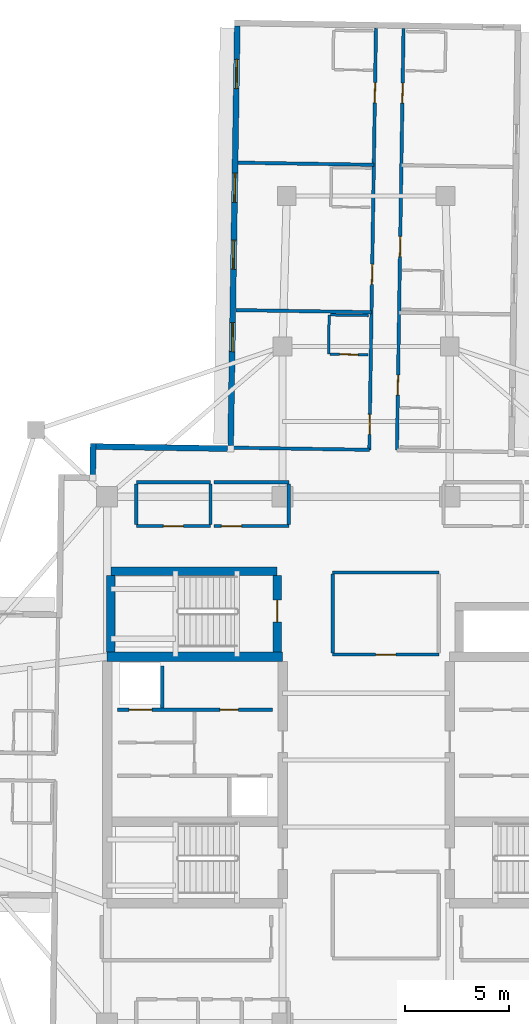
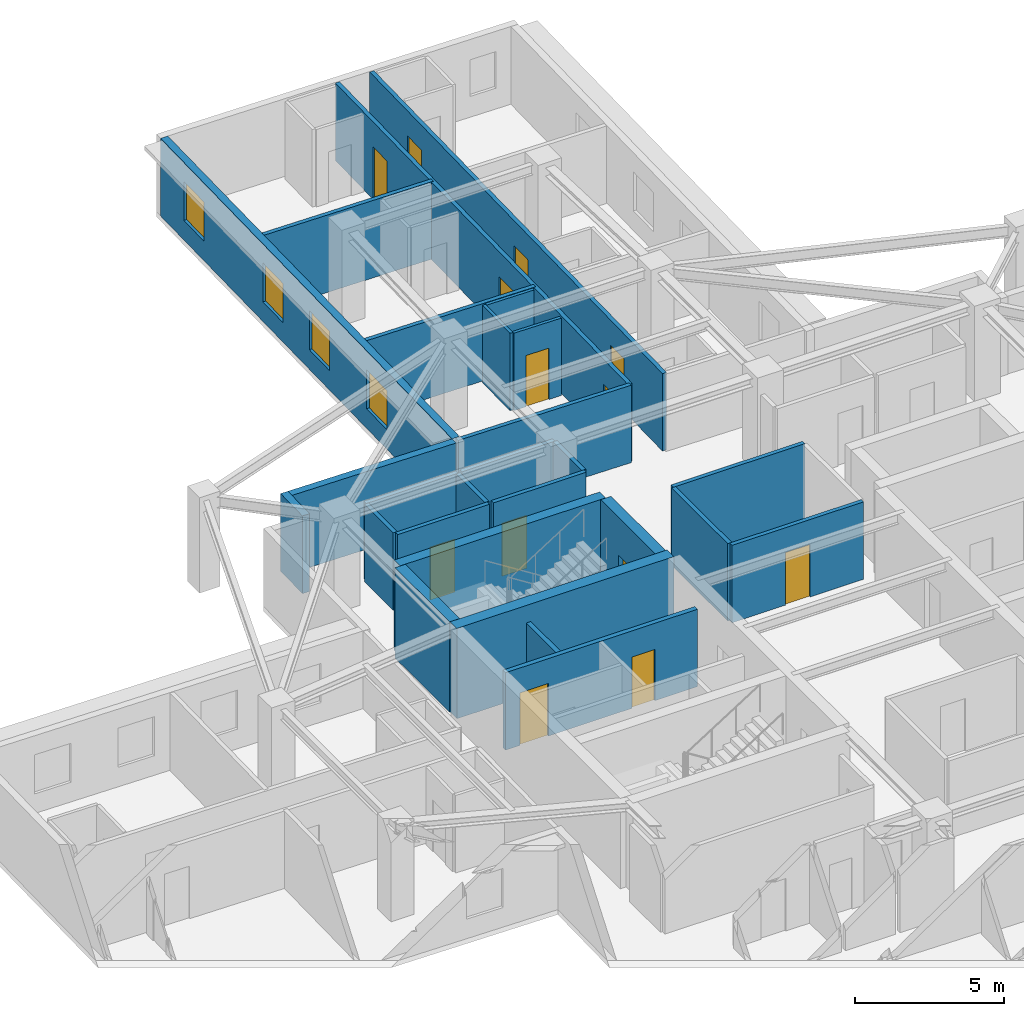
# One storey, part 7 of 13: 27 walls, 13 doors, 4 windows, 17 openings.
"""IFC4 building model written with IfcOpenShell, lengths in metres."""

from ifc_helpers import new_model, si_unit, direction, frame, frame_2d, origin, place, context, subcontext, project, spatial, rectangle, extrude, material, layer, layer_set, type_object, element, fill, save


model = new_model("IFC4")

# Units and contexts
model_context = context("Model", 3, precision=1e-05, world=origin(), true_north=direction((0.0, 1.0)))
body_context = subcontext(model_context, "Body", "Model", "MODEL_VIEW")
ifc_project = project(units=[si_unit("LENGTHUNIT", "METRE"), si_unit("AREAUNIT", "SQUARE_METRE"), si_unit("VOLUMEUNIT", "CUBIC_METRE"), si_unit("PLANEANGLEUNIT", "RADIAN"), si_unit("MASSUNIT", "GRAM", prefix="KILO")], contexts=[model_context])

# Site, building, storey
site_placement = place(None, origin())
site = spatial("IfcSite", under=ifc_project, at=site_placement, CompositionType="ELEMENT")
building_placement = place(site_placement, origin())
building = spatial("IfcBuilding", under=site, at=building_placement, Name="Qingluan Cross Belvedere", CompositionType="ELEMENT")
storey_placement = place(building_placement, frame((0.0, 0.0, 228.60009765625)))
storey = spatial("IfcBuildingStorey", under=building, at=storey_placement, Name="L57", CompositionType="ELEMENT", Elevation=228.60009765625)

# Walls
ifc_material_1 = material(Name="Concrete C50", Category="concrete")
ifc_layer_1 = layer(ifc_material_1, 0.449951171875, Name="CoreShearWall_450")
ifc_layer_set_1 = layer_set([ifc_layer_1], Name="Concrete C50")
wall_type_1 = type_object("IfcWallType", Name="CoreShearWall_450", PredefinedType="SHEAR", material=ifc_layer_set_1)
wall_1_placement = place(storey_placement, frame((-12.39990234375, 4.949951171875, 0.0), z_axis=(0.0, 0.0, 1.0), x_axis=(1.0, 0.0, 0.0)))
element("IfcWall", 1, at=wall_1_placement, inside=storey, type_object=wall_type_1, Name="Split core W shear wall L57-N", PredefinedType="SHEAR", context=body_context, shape_type="SweptSolid", body=[
    extrude(rectangle(XDim=8.39990234375, YDim=0.449951171875, at=frame_2d((4.199951171875, 0.0))), origin(), (0.0, 0.0, 1.0), 3.699951171875),
])
wall_2_placement = place(storey_placement, frame((-12.219970703125, 9.0400390625, 0.0), z_axis=(0.0, 0.0, 1.0), x_axis=(1.0, 0.0, 0.0)))
element("IfcWall", 2, at=wall_2_placement, inside=storey, type_object=wall_type_1, Name="Stair ST3 structural wall N L57", PredefinedType="SHEAR", context=body_context, shape_type="SweptSolid", body=[
    extrude(rectangle(XDim=7.9599609375, YDim=0.39990234375, at=frame_2d((3.97998046875, 0.0))), origin(), (0.0, 0.0, 1.0), 3.699951171875),
])
wall_3_placement = place(storey_placement, frame((-12.219970703125, 5.179931640625, 0.0), z_axis=(0.0, 0.0, 1.0), x_axis=(0.0, 1.0, 0.0)))
element("IfcWall", 3, at=wall_3_placement, inside=storey, type_object=wall_type_1, Name="Stair ST3 structural wall W L57", PredefinedType="SHEAR", context=body_context, shape_type="SweptSolid", body=[
    extrude(rectangle(XDim=3.655029296875, YDim=0.39990234375, at=frame_2d((1.82763671875, 0.0))), origin(), (0.0, 0.0, 1.0), 3.699951171875),
])

# Wall, opening, door
wall_4_placement = place(storey_placement, frame((-4.260009765625, 5.179931640625, 0.0), z_axis=(0.0, 0.0, 1.0), x_axis=(0.0, 1.0, 0.0)))
wall_4 = element("IfcWall", 4, at=wall_4_placement, inside=storey, type_object=wall_type_1, Name="Stair ST3 structural wall E L57", PredefinedType="SHEAR", context=body_context, shape_type="SweptSolid", body=[
    extrude(rectangle(XDim=3.655029296875, YDim=0.39990234375, at=frame_2d((1.82763671875, 0.0))), origin(), (0.0, 0.0, 1.0), 3.699951171875),
])
opening_1_placement = place(wall_4_placement, frame((1.419921875, 0.0, 0.0)))
opening_1 = element("IfcOpeningElement", 5, at=opening_1_placement, cuts=wall_4, Name="Opening FD-B11", PredefinedType="OPENING", context=body_context, shape_type="SweptSolid", body=[
    extrude(rectangle(XDim=1.050048828125, YDim=2.14990234375, at=frame_2d((0.52490234375, 1.074951171875))), frame((0.0, 0.2099609375, 0.0), z_axis=(0.0, -1.0, 0.0), x_axis=(1.0, 0.0, 0.0)), (0.0, 0.0, 1.0), 0.419921875),
])
ifc_material_2 = material(Name="Steel Class B smoke-seal fire door", Category="steel")
door_type_1 = type_object("IfcDoorType", Name="StairLobbyFireDoor_FDB", OperationType="NOTDEFINED", PredefinedType="DOOR", material=ifc_material_2)
door_1_placement = place(opening_1_placement, origin())
door_1 = element("IfcDoor", 6, at=door_1_placement, inside=storey, type_object=door_type_1, Name="Smoke-proof stair ST3 fire door L57", OperationType="SINGLE_SWING_LEFT", OverallHeight=2.14990234375, OverallWidth=1.050048828125, PredefinedType="DOOR", context=body_context, shape_type="SweptSolid", body=[
    extrude(rectangle(XDim=1.050048828125, YDim=2.14990234375, at=frame_2d((0.52490234375, 1.074951171875))), frame((0.0, 0.02490234375, 0.0), z_axis=(0.0, -1.0, 0.0), x_axis=(1.0, 0.0, 0.0)), (0.0, 0.0, 1.0), 0.050048828125),
])
fill(opening_1, door_1)

ifc_material_3 = material(Name="Gypsum plasterboard on steel stud acoustic partition", Category="steel")
ifc_layer_2 = layer(ifc_material_3, 0.159912109375, Name="CorridorPartition_160")
ifc_layer_set_2 = layer_set([ifc_layer_2], Name="Gypsum plasterboard on steel stud acoustic partition")
wall_type_2 = type_object("IfcWallType", Name="CorridorPartition_160", PredefinedType="PARTITIONING", material=ifc_layer_set_2)
wall_5_placement = place(storey_placement, frame((-11.0, 11.199951171875, 0.0), z_axis=(0.0, 0.0, 1.0), x_axis=(1.0, 0.0, 0.0)))
wall_5 = element("IfcWall", 7, at=wall_5_placement, inside=storey, type_object=wall_type_2, Name="Partition L57:q_nw1:S", PredefinedType="PARTITIONING", context=body_context, shape_type="SweptSolid", body=[
    extrude(rectangle(XDim=3.550048828125, YDim=0.159912109375, at=frame_2d((1.77490234375, 0.0))), origin(), (0.0, 0.0, 1.0), 3.169921875),
])
opening_2_placement = place(wall_5_placement, frame((1.294921875, 0.0, 0.0)))
opening_2 = element("IfcOpeningElement", 8, at=opening_2_placement, cuts=wall_5, Name="Opening GD-10", PredefinedType="OPENING", context=body_context, shape_type="SweptSolid", body=[
    extrude(rectangle(XDim=0.9599609375, YDim=2.14990234375, at=frame_2d((0.47998046875, 1.074951171875))), frame((0.0, 0.08984375, 0.0), z_axis=(0.0, -1.0, 0.0), x_axis=(1.0, 0.0, 0.0)), (0.0, 0.0, 1.0), 0.179931640625),
])
ifc_material_4 = material(Name="Timber oak fire-rated acoustic guestroom door", Category="wood")
door_type_2 = type_object("IfcDoorType", Name="GuestEntryDoor_FD60", OperationType="NOTDEFINED", PredefinedType="DOOR", material=ifc_material_4)
door_2_placement = place(opening_2_placement, origin())
door_2 = element("IfcDoor", 9, at=door_2_placement, inside=storey, type_object=door_type_2, Name="Northwest sky parlor L57 door", OperationType="SINGLE_SWING_RIGHT", OverallHeight=2.14990234375, OverallWidth=0.9599609375, PredefinedType="DOOR", context=body_context, shape_type="SweptSolid", body=[
    extrude(rectangle(XDim=0.9599609375, YDim=2.14990234375, at=frame_2d((0.47998046875, 1.074951171875))), frame((0.0, 0.02490234375, 0.0), z_axis=(0.0, -1.0, 0.0), x_axis=(1.0, 0.0, 0.0)), (0.0, 0.0, 1.0), 0.050048828125),
])
fill(opening_2, door_2)

# Walls
wall_6_placement = place(storey_placement, frame((-11.0, 13.300048828125, 0.0), z_axis=(0.0, 0.0, 1.0), x_axis=(1.0, 0.0, 0.0)))
element("IfcWall", 10, at=wall_6_placement, inside=storey, type_object=wall_type_2, Name="Partition L57:q_nw1:N", PredefinedType="PARTITIONING", context=body_context, shape_type="SweptSolid", body=[
    extrude(rectangle(XDim=3.550048828125, YDim=0.159912109375, at=frame_2d((1.77490234375, 0.0))), origin(), (0.0, 0.0, 1.0), 3.169921875),
])
for number, where, z_axis, x_axis, name in (
    (11, (-11.0, 11.284912109375, 0.0), (0.0, 0.0, 1.0), (0.0, 1.0, 0.0), "Partition L57:q_nw1:W"),
    (12, (-7.449951171875, 11.284912109375, 0.0), (0.0, 0.0, 1.0), (0.0, 1.0, 0.0), "Partition L57:q_nw1:E"),
):
    element("IfcWall", number, at=place(storey_placement, frame(where, z_axis=z_axis, x_axis=x_axis)), inside=storey, type_object=wall_type_2, Name=name, PredefinedType="PARTITIONING", context=body_context, shape_type="SweptSolid", body=[
        extrude(rectangle(XDim=1.93017578125, YDim=0.159912109375, at=frame_2d((0.965087890625, 0.0))), origin(), (0.0, 0.0, 1.0), 3.169921875),
    ])

# Wall, opening, door
wall_7_placement = place(storey_placement, frame((-7.2900390625, 11.199951171875, 0.0), z_axis=(0.0, 0.0, 1.0), x_axis=(1.0, 0.0, 0.0)))
wall_7 = element("IfcWall", 13, at=wall_7_placement, inside=storey, type_object=wall_type_2, Name="Partition L57:q_nw2:S", PredefinedType="PARTITIONING", context=body_context, shape_type="SweptSolid", body=[
    extrude(rectangle(XDim=3.590087890625, YDim=0.159912109375, at=frame_2d((1.794921875, 0.0))), origin(), (0.0, 0.0, 1.0), 3.169921875),
])
opening_3_placement = place(wall_7_placement, frame((0.364990234375, 0.0, 0.0)))
opening_3 = element("IfcOpeningElement", 14, at=opening_3_placement, cuts=wall_7, Name="Opening GD-10", PredefinedType="OPENING", context=body_context, shape_type="SweptSolid", body=[
    extrude(rectangle(XDim=0.9599609375, YDim=2.14990234375, at=frame_2d((0.47998046875, 1.074951171875))), frame((0.0, 0.08984375, 0.0), z_axis=(0.0, -1.0, 0.0), x_axis=(1.0, 0.0, 0.0)), (0.0, 0.0, 1.0), 0.179931640625),
])
door_3_placement = place(opening_3_placement, origin())
door_3 = element("IfcDoor", 15, at=door_3_placement, inside=storey, type_object=door_type_2, Name="Northwest study salon L57 door", OperationType="SINGLE_SWING_LEFT", OverallHeight=2.14990234375, OverallWidth=0.9599609375, PredefinedType="DOOR", context=body_context, shape_type="SweptSolid", body=[
    extrude(rectangle(XDim=0.9599609375, YDim=2.14990234375, at=frame_2d((0.47998046875, 1.074951171875))), frame((0.0, 0.02490234375, 0.0), z_axis=(0.0, -1.0, 0.0), x_axis=(1.0, 0.0, 0.0)), (0.0, 0.0, 1.0), 0.050048828125),
])
fill(opening_3, door_3)

# Walls
wall_8_placement = place(storey_placement, frame((-7.2900390625, 13.300048828125, 0.0), z_axis=(0.0, 0.0, 1.0), x_axis=(1.0, 0.0, 0.0)))
element("IfcWall", 16, at=wall_8_placement, inside=storey, type_object=wall_type_2, Name="Partition L57:q_nw2:N", PredefinedType="PARTITIONING", context=body_context, shape_type="SweptSolid", body=[
    extrude(rectangle(XDim=3.590087890625, YDim=0.159912109375, at=frame_2d((1.794921875, 0.0))), origin(), (0.0, 0.0, 1.0), 3.169921875),
])
wall_9_placement = place(storey_placement, frame((-3.699951171875, 11.284912109375, 0.0), z_axis=(0.0, 0.0, 1.0), x_axis=(0.0, 1.0, 0.0)))
element("IfcWall", 17, at=wall_9_placement, inside=storey, type_object=wall_type_2, Name="Partition L57:q_nw2:E", PredefinedType="PARTITIONING", context=body_context, shape_type="SweptSolid", body=[
    extrude(rectangle(XDim=1.93017578125, YDim=0.159912109375, at=frame_2d((0.965087890625, 0.0))), origin(), (0.0, 0.0, 1.0), 3.169921875),
])

# Wall, opening, door
wall_10_placement = place(storey_placement, frame((-1.60009765625, 5.050048828125, 0.0), z_axis=(0.0, 0.0, 1.0), x_axis=(1.0, 0.0, 0.0)))
wall_10 = element("IfcWall", 18, at=wall_10_placement, inside=storey, type_object=wall_type_2, Name="Partition L57:sky_tea_alcove:S", PredefinedType="PARTITIONING", context=body_context, shape_type="SweptSolid", body=[
    extrude(rectangle(XDim=5.080078125, YDim=0.159912109375, at=frame_2d((2.5400390625, 0.0))), origin(), (0.0, 0.0, 1.0), 3.169921875),
])
opening_4_placement = place(wall_10_placement, frame((2.06005859375, 0.0, 0.0)))
opening_4 = element("IfcOpeningElement", 19, at=opening_4_placement, cuts=wall_10, Name="Opening GD-10", PredefinedType="OPENING", context=body_context, shape_type="SweptSolid", body=[
    extrude(rectangle(XDim=0.9599609375, YDim=2.14990234375, at=frame_2d((0.47998046875, 1.074951171875))), frame((0.0, 0.08984375, 0.0), z_axis=(0.0, -1.0, 0.0), x_axis=(1.0, 0.0, 0.0)), (0.0, 0.0, 1.0), 0.179931640625),
])
door_4_placement = place(opening_4_placement, origin())
door_4 = element("IfcDoor", 20, at=door_4_placement, inside=storey, type_object=door_type_2, Name="Sky horizon tea salon L57 door", OperationType="SINGLE_SWING_LEFT", OverallHeight=2.14990234375, OverallWidth=0.9599609375, PredefinedType="DOOR", context=body_context, shape_type="SweptSolid", body=[
    extrude(rectangle(XDim=0.9599609375, YDim=2.14990234375, at=frame_2d((0.47998046875, 1.074951171875))), frame((0.0, 0.02490234375, 0.0), z_axis=(0.0, -1.0, 0.0), x_axis=(1.0, 0.0, 0.0)), (0.0, 0.0, 1.0), 0.050048828125),
])
fill(opening_4, door_4)

# Walls
wall_11_placement = place(storey_placement, frame((-1.60009765625, 8.97998046875, 0.0), z_axis=(0.0, 0.0, 1.0), x_axis=(1.0, 0.0, 0.0)))
element("IfcWall", 21, at=wall_11_placement, inside=storey, type_object=wall_type_2, Name="Partition L57:sky_tea_alcove:N", PredefinedType="PARTITIONING", context=body_context, shape_type="SweptSolid", body=[
    extrude(rectangle(XDim=5.080078125, YDim=0.159912109375, at=frame_2d((2.5400390625, 0.0))), origin(), (0.0, 0.0, 1.0), 3.169921875),
])
wall_12_placement = place(storey_placement, frame((-1.60009765625, 5.135009765625, 0.0), z_axis=(0.0, 0.0, 1.0), x_axis=(0.0, 1.0, 0.0)))
element("IfcWall", 22, at=wall_12_placement, inside=storey, type_object=wall_type_2, Name="Partition L57:sky_tea_alcove:W", PredefinedType="PARTITIONING", context=body_context, shape_type="SweptSolid", body=[
    extrude(rectangle(XDim=3.760009765625, YDim=0.159912109375, at=frame_2d((1.8798828125, 0.0))), origin(), (0.0, 0.0, 1.0), 3.169921875),
])

# Wall, openings, doors
wall_13_placement = place(storey_placement, frame((1.47314453125, 14.82861328125, 0.0), z_axis=(0.0, 0.0, 1.0), x_axis=(0.015701703245, 0.999876720659, 0.0)))
wall_13 = element("IfcWall", 23, at=wall_13_placement, inside=storey, type_object=wall_type_2, Name="Partition L57:N:c0", PredefinedType="PARTITIONING", context=body_context, shape_type="SweptSolid", body=[
    extrude(rectangle(XDim=20.18212890625, YDim=0.159912109375, at=frame_2d((10.091064453125, 0.0))), origin(), (0.0, 0.0, 1.0), 3.169921875),
])
opening_5_placement = place(wall_13_placement, frame((2.638916015625, 0.0, 0.0)))
opening_5 = element("IfcOpeningElement", 24, at=opening_5_placement, cuts=wall_13, Name="Opening GD-10", PredefinedType="OPENING", context=body_context, shape_type="SweptSolid", body=[
    extrude(rectangle(XDim=0.9599609375, YDim=2.14990234375, at=frame_2d((0.47998046875, 1.074951171875))), frame((0.0, 0.08984375, 0.0), z_axis=(0.0, -1.0, 0.0), x_axis=(1.0, 0.0, 0.0)), (0.0, 0.0, 1.0), 0.179931640625),
])
opening_6_placement = place(wall_13_placement, frame((9.27294921875, 0.0, 0.0)))
opening_6 = element("IfcOpeningElement", 25, at=opening_6_placement, cuts=wall_13, Name="Opening GD-10", PredefinedType="OPENING", context=body_context, shape_type="SweptSolid", body=[
    extrude(rectangle(XDim=0.9599609375, YDim=2.14990234375, at=frame_2d((0.47998046875, 1.074951171875))), frame((0.0, 0.08984375, 0.0), z_axis=(0.0, -1.0, 0.0), x_axis=(1.0, 0.0, 0.0)), (0.0, 0.0, 1.0), 0.179931640625),
])
opening_7_placement = place(wall_13_placement, frame((16.614013671875, 0.0, 0.0)))
opening_7 = element("IfcOpeningElement", 26, at=opening_7_placement, cuts=wall_13, Name="Opening GD-10", PredefinedType="OPENING", context=body_context, shape_type="SweptSolid", body=[
    extrude(rectangle(XDim=0.9599609375, YDim=2.14990234375, at=frame_2d((0.47998046875, 1.074951171875))), frame((0.0, 0.08984375, 0.0), z_axis=(0.0, -1.0, 0.0), x_axis=(1.0, 0.0, 0.0)), (0.0, 0.0, 1.0), 0.179931640625),
])
door_5_placement = place(opening_5_placement, origin())
door_5 = element("IfcDoor", 27, at=door_5_placement, inside=storey, type_object=door_type_2, Name="Guest entry fire door 5709", OperationType="SINGLE_SWING_LEFT", OverallHeight=2.14990234375, OverallWidth=0.9599609375, PredefinedType="DOOR", context=body_context, shape_type="SweptSolid", body=[
    extrude(rectangle(XDim=0.9599609375, YDim=2.14990234375, at=frame_2d((0.47998046875, 1.074951171875))), frame((0.0, 0.02490234375, 0.0), z_axis=(0.0, -1.0, 0.0), x_axis=(1.0, 0.0, 0.0)), (0.0, 0.0, 1.0), 0.050048828125),
])
fill(opening_5, door_5)
door_6_placement = place(opening_6_placement, origin())
door_6 = element("IfcDoor", 28, at=door_6_placement, inside=storey, type_object=door_type_2, Name="Guest entry fire door 5710", OperationType="SINGLE_SWING_LEFT", OverallHeight=2.14990234375, OverallWidth=0.9599609375, PredefinedType="DOOR", context=body_context, shape_type="SweptSolid", body=[
    extrude(rectangle(XDim=0.9599609375, YDim=2.14990234375, at=frame_2d((0.47998046875, 1.074951171875))), frame((0.0, 0.02490234375, 0.0), z_axis=(0.0, -1.0, 0.0), x_axis=(1.0, 0.0, 0.0)), (0.0, 0.0, 1.0), 0.050048828125),
])
fill(opening_6, door_6)
door_7_placement = place(opening_7_placement, origin())
door_7 = element("IfcDoor", 29, at=door_7_placement, inside=storey, type_object=door_type_2, Name="Guest entry fire door 5711", OperationType="SINGLE_SWING_LEFT", OverallHeight=2.14990234375, OverallWidth=0.9599609375, PredefinedType="DOOR", context=body_context, shape_type="SweptSolid", body=[
    extrude(rectangle(XDim=0.9599609375, YDim=2.14990234375, at=frame_2d((0.47998046875, 1.074951171875))), frame((0.0, 0.02490234375, 0.0), z_axis=(0.0, -1.0, 0.0), x_axis=(1.0, 0.0, 0.0)), (0.0, 0.0, 1.0), 0.050048828125),
])
fill(opening_7, door_7)

wall_14_placement = place(storey_placement, frame((0.1533203125, 14.849365234375, 0.0), z_axis=(0.0, 0.0, 1.0), x_axis=(0.015701893165, 0.999876717676, 0.0)))
wall_14 = element("IfcWall", 30, at=wall_14_placement, inside=storey, type_object=wall_type_2, Name="Partition L57:N:c1", PredefinedType="PARTITIONING", context=body_context, shape_type="SweptSolid", body=[
    extrude(rectangle(XDim=20.181884765625, YDim=0.159912109375, at=frame_2d((10.0908203125, 0.0))), origin(), (0.0, 0.0, 1.0), 3.169921875),
])
opening_8_placement = place(wall_14_placement, frame((0.73388671875, 0.0, 0.0)))
opening_8 = element("IfcOpeningElement", 31, at=opening_8_placement, cuts=wall_14, Name="Opening GD-10", PredefinedType="OPENING", context=body_context, shape_type="SweptSolid", body=[
    extrude(rectangle(XDim=0.9599609375, YDim=2.14990234375, at=frame_2d((0.47998046875, 1.074951171875))), frame((0.0, 0.08984375, 0.0), z_axis=(0.0, -1.0, 0.0), x_axis=(1.0, 0.0, 0.0)), (0.0, 0.0, 1.0), 0.179931640625),
])
opening_9_placement = place(wall_14_placement, frame((7.924072265625, 0.0, 0.0)))
opening_9 = element("IfcOpeningElement", 32, at=opening_9_placement, cuts=wall_14, Name="Opening GD-10", PredefinedType="OPENING", context=body_context, shape_type="SweptSolid", body=[
    extrude(rectangle(XDim=0.9599609375, YDim=2.14990234375, at=frame_2d((0.47998046875, 1.074951171875))), frame((0.0, 0.08984375, 0.0), z_axis=(0.0, -1.0, 0.0), x_axis=(1.0, 0.0, 0.0)), (0.0, 0.0, 1.0), 0.179931640625),
])
opening_10_placement = place(wall_14_placement, frame((16.614013671875, 0.0, 0.0)))
opening_10 = element("IfcOpeningElement", 33, at=opening_10_placement, cuts=wall_14, Name="Opening GD-10", PredefinedType="OPENING", context=body_context, shape_type="SweptSolid", body=[
    extrude(rectangle(XDim=0.9599609375, YDim=2.14990234375, at=frame_2d((0.47998046875, 1.074951171875))), frame((0.0, 0.08984375, 0.0), z_axis=(0.0, -1.0, 0.0), x_axis=(1.0, 0.0, 0.0)), (0.0, 0.0, 1.0), 0.179931640625),
])
door_8_placement = place(opening_8_placement, origin())
door_8 = element("IfcDoor", 34, at=door_8_placement, inside=storey, type_object=door_type_2, Name="Guest entry fire door 5712", OperationType="SINGLE_SWING_LEFT", OverallHeight=2.14990234375, OverallWidth=0.9599609375, PredefinedType="DOOR", context=body_context, shape_type="SweptSolid", body=[
    extrude(rectangle(XDim=0.9599609375, YDim=2.14990234375, at=frame_2d((0.47998046875, 1.074951171875))), frame((0.0, 0.02490234375, 0.0), z_axis=(0.0, -1.0, 0.0), x_axis=(1.0, 0.0, 0.0)), (0.0, 0.0, 1.0), 0.050048828125),
])
fill(opening_8, door_8)
door_9_placement = place(opening_9_placement, origin())
door_9 = element("IfcDoor", 35, at=door_9_placement, inside=storey, type_object=door_type_2, Name="Guest entry fire door 5713", OperationType="SINGLE_SWING_LEFT", OverallHeight=2.14990234375, OverallWidth=0.9599609375, PredefinedType="DOOR", context=body_context, shape_type="SweptSolid", body=[
    extrude(rectangle(XDim=0.9599609375, YDim=2.14990234375, at=frame_2d((0.47998046875, 1.074951171875))), frame((0.0, 0.02490234375, 0.0), z_axis=(0.0, -1.0, 0.0), x_axis=(1.0, 0.0, 0.0)), (0.0, 0.0, 1.0), 0.050048828125),
])
fill(opening_9, door_9)
door_10_placement = place(opening_10_placement, origin())
door_10 = element("IfcDoor", 36, at=door_10_placement, inside=storey, type_object=door_type_2, Name="Guest entry fire door 5714", OperationType="SINGLE_SWING_LEFT", OverallHeight=2.14990234375, OverallWidth=0.9599609375, PredefinedType="DOOR", context=body_context, shape_type="SweptSolid", body=[
    extrude(rectangle(XDim=0.9599609375, YDim=2.14990234375, at=frame_2d((0.47998046875, 1.074951171875))), frame((0.0, 0.02490234375, 0.0), z_axis=(0.0, -1.0, 0.0), x_axis=(1.0, 0.0, 0.0)), (0.0, 0.0, 1.0), 0.050048828125),
])
fill(opening_10, door_10)

# Walls
wall_15_placement = place(storey_placement, frame((0.1533203125, 14.849365234375, 0.0), z_axis=(0.0, 0.0, 1.0), x_axis=(-0.999876746497, 0.015700057761, 0.0)))
element("IfcWall", 37, at=wall_15_placement, inside=storey, type_object=wall_type_2, Name="Partition L57:N:s1", PredefinedType="PARTITIONING", context=body_context, shape_type="SweptSolid", body=[
    extrude(rectangle(XDim=6.639892578125, YDim=0.159912109375, at=frame_2d((3.31982421875, 0.0))), origin(), (0.0, 0.0, 1.0), 3.169921875),
])
for number, where, z_axis, x_axis, name in (
    (38, (0.256591796875, 21.435546875, 0.0), (0.0, 0.0, 1.0), (-0.999876442039, 0.015719435564, 0.0), "Partition L57:N:d1_0"),
    (39, (0.36767578125, 28.49267578125, 0.0), (0.0, 0.0, 1.0), (-0.999876442039, 0.015719435564, 0.0), "Partition L57:N:d1_1"),
):
    element("IfcWall", number, at=place(storey_placement, frame(where, z_axis=z_axis, x_axis=x_axis)), inside=storey, type_object=wall_type_2, Name=name, PredefinedType="PARTITIONING", context=body_context, shape_type="SweptSolid", body=[
        extrude(rectangle(XDim=6.491943359375, YDim=0.159912109375, at=frame_2d((3.24609375, 0.0))), origin(), (0.0, 0.0, 1.0), 3.169921875),
    ])

# Wall, opening, door
ifc_material_5 = material(Name="Moisture-resistant gypsum board lining")
ifc_layer_3 = layer(ifc_material_5, 0.1201171875, Name="EnsuiteWetPartition_120")
ifc_layer_set_3 = layer_set([ifc_layer_3], Name="Moisture-resistant gypsum board lining")
wall_type_3 = type_object("IfcWallType", Name="EnsuiteWetPartition_120", PredefinedType="PARTITIONING", material=ifc_layer_set_3)
wall_16_placement = place(storey_placement, frame((-1.735107421875, 19.426513671875, 0.0), z_axis=(0.0, 0.0, 1.0), x_axis=(0.999878932289, -0.015560230231, 0.0)))
wall_16 = element("IfcWall", 40, at=wall_16_placement, inside=storey, type_object=wall_type_3, Name="Partition L57:N:bs1_0", PredefinedType="PARTITIONING", context=body_context, shape_type="SweptSolid", body=[
    extrude(rectangle(XDim=1.820068359375, YDim=0.1201171875, at=frame_2d((0.91015625, 0.0))), origin(), (0.0, 0.0, 1.0), 3.169921875),
])
opening_11_placement = place(wall_16_placement, frame((0.469970703125, 0.0, 0.0)))
opening_11 = element("IfcOpeningElement", 41, at=opening_11_placement, cuts=wall_16, Name="Opening BD-09", PredefinedType="OPENING", context=body_context, shape_type="SweptSolid", body=[
    extrude(rectangle(XDim=0.8798828125, YDim=2.10009765625, at=frame_2d((0.43994140625, 1.050048828125))), frame((0.0, 0.070068359375, 0.0), z_axis=(0.0, -1.0, 0.0), x_axis=(1.0, 0.0, 0.0)), (0.0, 0.0, 1.0), 0.14013671875),
])
ifc_material_6 = material(Name="Moisture-sealed timber en-suite door", Category="wood")
door_type_3 = type_object("IfcDoorType", Name="BathroomDoor_880", OperationType="NOTDEFINED", PredefinedType="DOOR", material=ifc_material_6)
door_11_placement = place(opening_11_placement, origin())
door_11 = element("IfcDoor", 42, at=door_11_placement, inside=storey, type_object=door_type_3, Name="Bathroom door 5712", OperationType="SINGLE_SWING_RIGHT", OverallHeight=2.10009765625, OverallWidth=0.8798828125, PredefinedType="DOOR", context=body_context, shape_type="SweptSolid", body=[
    extrude(rectangle(XDim=0.8798828125, YDim=2.10009765625, at=frame_2d((0.43994140625, 1.050048828125))), frame((0.0, 0.02490234375, 0.0), z_axis=(0.0, -1.0, 0.0), x_axis=(1.0, 0.0, 0.0)), (0.0, 0.0, 1.0), 0.050048828125),
])
fill(opening_11, door_11)

# Walls
wall_17_placement = place(storey_placement, frame((-1.70556640625, 21.306396484375, 0.0), z_axis=(0.0, 0.0, 1.0), x_axis=(0.999876836305, -0.015694337248, 0.0)))
element("IfcWall", 43, at=wall_17_placement, inside=storey, type_object=wall_type_3, Name="Partition L57:N:bw1_0", PredefinedType="PARTITIONING", context=body_context, shape_type="SweptSolid", body=[
    extrude(rectangle(XDim=1.820068359375, YDim=0.1201171875, at=frame_2d((0.91015625, 0.0))), origin(), (0.0, 0.0, 1.0), 3.169921875),
])
wall_18_placement = place(storey_placement, frame((-1.800048828125, 19.427734375, 0.0), z_axis=(0.0, 0.0, 1.0), x_axis=(0.015714386166, 0.99987652141, 0.0)))
element("IfcWall", 44, at=wall_18_placement, inside=storey, type_object=wall_type_3, Name="Partition L57:N:bc1_0", PredefinedType="PARTITIONING", context=body_context, shape_type="SweptSolid", body=[
    extrude(rectangle(XDim=1.8798828125, YDim=0.1201171875, at=frame_2d((0.93994140625, 0.0))), origin(), (0.0, 0.0, 1.0), 3.169921875),
])

# Wall, openings, windows
ifc_material_7 = material(Name="Precast concrete C45", Category="concrete")
ifc_layer_4 = layer(ifc_material_7, 0.280029296875, Name="PrecastFacadeWall_280")
ifc_layer_set_4 = layer_set([ifc_layer_4], Name="Precast concrete C45")
wall_type_4 = type_object("IfcWallType", Name="PrecastFacadeWall_280", PredefinedType="STANDARD", material=ifc_layer_set_4)
wall_19_placement = place(storey_placement, frame((-6.168701171875, 35.14111328125, 0.0), z_axis=(0.0, 0.0, 1.0), x_axis=(-0.01571739401, -0.999876474133, 0.0)))
wall_19 = element("IfcWall", 45, at=wall_19_placement, inside=storey, type_object=wall_type_4, Name="Facade wall L57-NB", PredefinedType="STANDARD", context=body_context, shape_type="SweptSolid", body=[
    extrude(rectangle(XDim=20.099853515625, YDim=0.280029296875, at=frame_2d((10.0498046875, 0.0))), origin(), (0.0, 0.0, 1.0), 3.179931640625),
])
opening_12_placement = place(wall_19_placement, frame((1.60009765625, 0.0, 0.800048828125)))
opening_12 = element("IfcOpeningElement", 46, at=opening_12_placement, cuts=wall_19, Name="Opening W-01", PredefinedType="OPENING", context=body_context, shape_type="SweptSolid", body=[
    extrude(rectangle(XDim=1.39990234375, YDim=1.60009765625, at=frame_2d((0.699951171875, 0.800048828125))), frame((0.0, 0.14990234375, 0.0), z_axis=(0.0, -1.0, 0.0), x_axis=(1.0, 0.0, 0.0)), (0.0, 0.0, 1.0), 0.300048828125),
])
opening_13_placement = place(wall_19_placement, frame((7.050048828125, 0.0, 0.800048828125)))
opening_13 = element("IfcOpeningElement", 47, at=opening_13_placement, cuts=wall_19, Name="Opening W-01", PredefinedType="OPENING", context=body_context, shape_type="SweptSolid", body=[
    extrude(rectangle(XDim=1.39990234375, YDim=1.60009765625, at=frame_2d((0.699951171875, 0.800048828125))), frame((0.0, 0.14990234375, 0.0), z_axis=(0.0, -1.0, 0.0), x_axis=(1.0, 0.0, 0.0)), (0.0, 0.0, 1.0), 0.300048828125),
])
opening_14_placement = place(wall_19_placement, frame((10.25, 0.0, 0.800048828125)))
opening_14 = element("IfcOpeningElement", 48, at=opening_14_placement, cuts=wall_19, Name="Opening W-01", PredefinedType="OPENING", context=body_context, shape_type="SweptSolid", body=[
    extrude(rectangle(XDim=1.39990234375, YDim=1.60009765625, at=frame_2d((0.699951171875, 0.800048828125))), frame((0.0, 0.14990234375, 0.0), z_axis=(0.0, -1.0, 0.0), x_axis=(1.0, 0.0, 0.0)), (0.0, 0.0, 1.0), 0.300048828125),
])
opening_15_placement = place(wall_19_placement, frame((14.199951171875, 0.0, 0.800048828125)))
opening_15 = element("IfcOpeningElement", 49, at=opening_15_placement, cuts=wall_19, Name="Opening W-01", PredefinedType="OPENING", context=body_context, shape_type="SweptSolid", body=[
    extrude(rectangle(XDim=1.39990234375, YDim=1.60009765625, at=frame_2d((0.699951171875, 0.800048828125))), frame((0.0, 0.14990234375, 0.0), z_axis=(0.0, -1.0, 0.0), x_axis=(1.0, 0.0, 0.0)), (0.0, 0.0, 1.0), 0.300048828125),
])
ifc_material_8 = material(Name="Thermally broken triple Low-E glass in aluminium frame", Category="aluminium")
window_type = type_object("IfcWindowType", Name="TriRibbonWin_1400x1600", PartitioningType="SINGLE_PANEL", PredefinedType="WINDOW", material=ifc_material_8)
window_1_placement = place(opening_12_placement, origin())
window_1 = element("IfcWindow", 50, at=window_1_placement, inside=storey, type_object=window_type, Name="Ribbon window L57-NB-1", OverallHeight=1.60009765625, OverallWidth=1.39990234375, PartitioningType="SINGLE_PANEL", PredefinedType="WINDOW", context=body_context, shape_type="SweptSolid", body=[
    extrude(rectangle(XDim=1.39990234375, YDim=1.60009765625, at=frame_2d((0.699951171875, 0.800048828125))), frame((0.0, 0.030029296875, 0.0), z_axis=(0.0, -1.0, 0.0), x_axis=(1.0, 0.0, 0.0)), (0.0, 0.0, 1.0), 0.06005859375),
])
fill(opening_12, window_1)
window_2_placement = place(opening_13_placement, origin())
window_2 = element("IfcWindow", 51, at=window_2_placement, inside=storey, type_object=window_type, Name="Ribbon window L57-NB-2", OverallHeight=1.60009765625, OverallWidth=1.39990234375, PartitioningType="SINGLE_PANEL", PredefinedType="WINDOW", context=body_context, shape_type="SweptSolid", body=[
    extrude(rectangle(XDim=1.39990234375, YDim=1.60009765625, at=frame_2d((0.699951171875, 0.800048828125))), frame((0.0, 0.030029296875, 0.0), z_axis=(0.0, -1.0, 0.0), x_axis=(1.0, 0.0, 0.0)), (0.0, 0.0, 1.0), 0.06005859375),
])
fill(opening_13, window_2)
window_3_placement = place(opening_14_placement, origin())
window_3 = element("IfcWindow", 52, at=window_3_placement, inside=storey, type_object=window_type, Name="Ribbon window L57-NB-3", OverallHeight=1.60009765625, OverallWidth=1.39990234375, PartitioningType="SINGLE_PANEL", PredefinedType="WINDOW", context=body_context, shape_type="SweptSolid", body=[
    extrude(rectangle(XDim=1.39990234375, YDim=1.60009765625, at=frame_2d((0.699951171875, 0.800048828125))), frame((0.0, 0.030029296875, 0.0), z_axis=(0.0, -1.0, 0.0), x_axis=(1.0, 0.0, 0.0)), (0.0, 0.0, 1.0), 0.06005859375),
])
fill(opening_14, window_3)
window_4_placement = place(opening_15_placement, origin())
window_4 = element("IfcWindow", 53, at=window_4_placement, inside=storey, type_object=window_type, Name="Ribbon window L57-NB-4", OverallHeight=1.60009765625, OverallWidth=1.39990234375, PartitioningType="SINGLE_PANEL", PredefinedType="WINDOW", context=body_context, shape_type="SweptSolid", body=[
    extrude(rectangle(XDim=1.39990234375, YDim=1.60009765625, at=frame_2d((0.699951171875, 0.800048828125))), frame((0.0, 0.030029296875, 0.0), z_axis=(0.0, -1.0, 0.0), x_axis=(1.0, 0.0, 0.0)), (0.0, 0.0, 1.0), 0.06005859375),
])
fill(opening_15, window_4)

# Walls
wall_20_placement = place(storey_placement, frame((-13.08740234375, 13.647216796875, 0.0), z_axis=(0.0, 0.0, 1.0), x_axis=(0.015785793208, 0.999875396603, 0.0)))
element("IfcWall", 54, at=wall_20_placement, inside=storey, type_object=wall_type_4, Name="Corner wall L57-NW3", PredefinedType="STANDARD", context=body_context, shape_type="SweptSolid", body=[
    extrude(rectangle(XDim=1.500244140625, YDim=0.280029296875, at=frame_2d((0.75, 0.0))), origin(), (0.0, 0.0, 1.0), 3.179931640625),
])
wall_21_placement = place(storey_placement, frame((-12.92578125, 15.0048828125, 0.0), z_axis=(0.0, 0.0, 1.0), x_axis=(0.999876823822, -0.015695132501, 0.0)))
element("IfcWall", 55, at=wall_21_placement, inside=storey, type_object=wall_type_4, Name="Corner wall L57-NW4", PredefinedType="STANDARD", context=body_context, shape_type="SweptSolid", body=[
    extrude(rectangle(XDim=6.2998046875, YDim=0.280029296875, at=frame_2d((3.14990234375, 0.0))), origin(), (0.0, 0.0, 1.0), 3.179931640625),
])

# Wall, openings, doors
ifc_material_9 = material(Name="Concrete C40", Category="concrete")
ifc_layer_5 = layer(ifc_material_9, 0.219970703125, Name="ShaftEnclosureWall_250")
ifc_layer_set_5 = layer_set([ifc_layer_5], Name="Concrete C40")
wall_type_5 = type_object("IfcWallType", Name="ShaftEnclosureWall_250", PredefinedType="SOLIDWALL", material=ifc_layer_set_5)
wall_22_placement = place(storey_placement, frame((-11.89990234375, 2.409912109375, 0.0), z_axis=(0.0, 0.0, 1.0), x_axis=(1.0, 0.0, 0.0)))
wall_22 = element("IfcWall", 56, at=wall_22_placement, inside=storey, type_object=wall_type_5, Name="Core-W north hoistway wall L57", PredefinedType="SOLIDWALL", context=body_context, shape_type="SweptSolid", body=[
    extrude(rectangle(XDim=7.419921875, YDim=0.179931640625, at=frame_2d((3.7099609375, 0.0))), origin(), (0.0, 0.0, 1.0), 3.169921875),
])
opening_16_placement = place(wall_22_placement, frame((0.550048828125, 0.0, 0.0)))
opening_16 = element("IfcOpeningElement", 57, at=opening_16_placement, cuts=wall_22, Name="Opening LD-11", PredefinedType="OPENING", context=body_context, shape_type="SweptSolid", body=[
    extrude(rectangle(XDim=1.10009765625, YDim=2.14990234375, at=frame_2d((0.550048828125, 1.074951171875))), frame((0.0, 0.099853515625, 0.0), z_axis=(0.0, -1.0, 0.0), x_axis=(1.0, 0.0, 0.0)), (0.0, 0.0, 1.0), 0.199951171875),
])
opening_17_placement = place(wall_22_placement, frame((4.89990234375, 0.0, 0.0)))
opening_17 = element("IfcOpeningElement", 58, at=opening_17_placement, cuts=wall_22, Name="Opening FD-B10", PredefinedType="OPENING", context=body_context, shape_type="SweptSolid", body=[
    extrude(rectangle(XDim=0.8798828125, YDim=2.10009765625, at=frame_2d((0.43994140625, 1.050048828125))), frame((0.0, 0.099853515625, 0.0), z_axis=(0.0, -1.0, 0.0), x_axis=(1.0, 0.0, 0.0)), (0.0, 0.0, 1.0), 0.199951171875),
])
ifc_material_10 = material(Name="Brushed stainless steel centre-opening lift landing door", Category="steel")
door_type_4 = type_object("IfcDoorType", Name="LiftLandingSlidingDoor_1100", OperationType="DOUBLE_DOOR_SLIDING", PredefinedType="DOOR", material=ifc_material_10)
door_12_placement = place(opening_16_placement, origin())
door_12 = element("IfcDoor", 59, at=door_12_placement, inside=storey, type_object=door_type_4, Name="Lift landing sliding door FL1 L57", OperationType="DOUBLE_DOOR_SLIDING", OverallHeight=2.14990234375, OverallWidth=1.10009765625, PredefinedType="DOOR", context=body_context, shape_type="SweptSolid", body=[
    extrude(rectangle(XDim=1.10009765625, YDim=2.14990234375, at=frame_2d((0.550048828125, 1.074951171875))), frame((0.0, 0.02490234375, 0.0), z_axis=(0.0, -1.0, 0.0), x_axis=(1.0, 0.0, 0.0)), (0.0, 0.0, 1.0), 0.050048828125),
])
fill(opening_16, door_12)
ifc_material_11 = material(Name="Steel Class B service fire door", Category="steel")
door_type_5 = type_object("IfcDoorType", Name="RiserServiceFireDoor_FDB", OperationType="NOTDEFINED", PredefinedType="DOOR", material=ifc_material_11)
door_13_placement = place(opening_17_placement, origin())
door_13 = element("IfcDoor", 60, at=door_13_placement, inside=storey, type_object=door_type_5, Name="Housekeeping supply room door W L57", OperationType="SINGLE_SWING_RIGHT", OverallHeight=2.10009765625, OverallWidth=0.8798828125, PredefinedType="DOOR", context=body_context, shape_type="SweptSolid", body=[
    extrude(rectangle(XDim=0.8798828125, YDim=2.10009765625, at=frame_2d((0.43994140625, 1.050048828125))), frame((0.0, 0.02490234375, 0.0), z_axis=(0.0, -1.0, 0.0), x_axis=(1.0, 0.0, 0.0)), (0.0, 0.0, 1.0), 0.050048828125),
])
fill(opening_17, door_13)

# Wall
wall_23_placement = place(storey_placement, frame((-9.760009765625, 2.5, 0.0), z_axis=(0.0, 0.0, 1.0), x_axis=(0.0, 1.0, 0.0)))
element("IfcWall", 61, at=wall_23_placement, inside=storey, type_object=wall_type_5, Name="Hoistway enclosure divider FL1E L57", PredefinedType="SOLIDWALL", context=body_context, shape_type="SweptSolid", body=[
    extrude(rectangle(XDim=1.989990234375, YDim=0.179931640625, at=frame_2d((0.9951171875, 0.0))), origin(), (0.0, 0.0, 1.0), 3.169921875),
])

save(model, "model.ifc")
